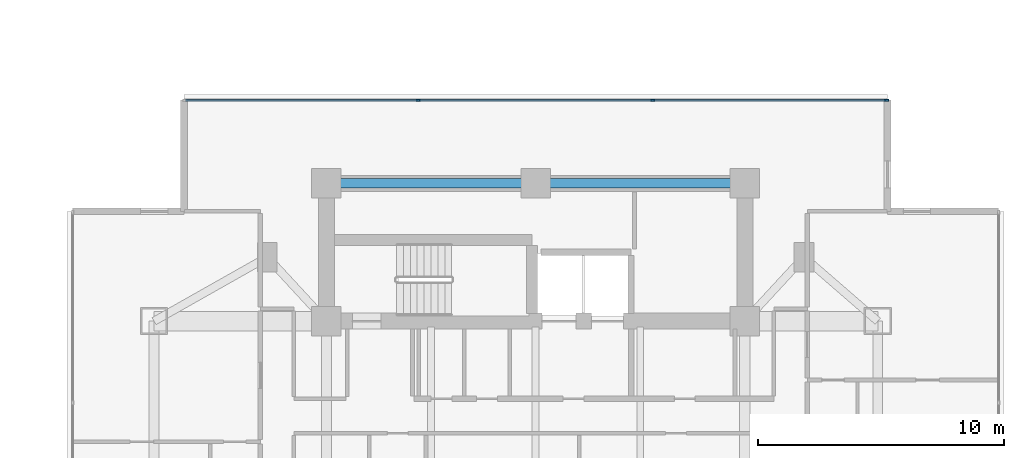
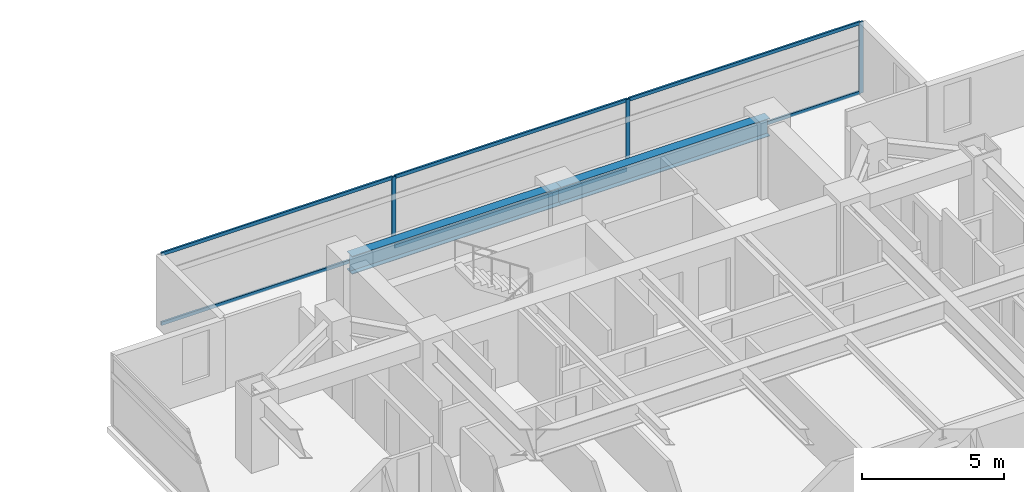
# One storey, part 11 of 25: 9 members, 2 beams, 1 element without a shape of its own.
"""IFC4 building model written with IfcOpenShell, lengths in metres."""

import ifcopenshell
import ifcopenshell.guid

model = None  # the IFC model being written
_history = None  # IfcOwnerHistory: only IFC2X3 demands one
_inside = {}  # id of a spatial element -> (the spatial element, [elements in it])
_under = {}  # id of a project, library or spatial element -> (it, [spatial elements below it])
_declared = {}  # id of a project -> (the project, [libraries it declares])
_typed = {}  # id of a type object -> (the type object, [elements of that type])
_made_of = {}  # id of a material, layer set ... -> (it, [elements and type objects made of it])


def new_model(schema):
    """Start an empty IFC model of exactly this schema.

    Asked for "IFC4X3", IfcOpenShell would pick the latest addendum, in which some entities
    have other attributes; the version numbers below select the first issue.
    IFC2X3 requires an IfcOwnerHistory on every rooted entity: one is made here for all.
    """
    global model, _history
    if schema == "IFC4X3":
        model = ifcopenshell.file(schema_version=(4, 3, 0, 0))
    else:
        model = ifcopenshell.file(schema=schema)
    _inside.clear()
    _under.clear()
    _declared.clear()
    _typed.clear()
    _made_of.clear()
    _history = None
    if model.schema == "IFC2X3":
        org = make("IfcOrganization", Name="unknown")
        user = make(
            "IfcPersonAndOrganization",
            ThePerson=make("IfcPerson", FamilyName="unknown"),
            TheOrganization=org,
        )
        app = make(
            "IfcApplication",
            ApplicationDeveloper=org,
            Version="unknown",
            ApplicationFullName="unknown",
            ApplicationIdentifier="unknown",
        )
        _history = make(
            "IfcOwnerHistory",
            OwningUser=user,
            OwningApplication=app,
            ChangeAction="ADDED",
            CreationDate=0,
        )
    return model


def make(cls, **values):
    """One entity of the class cls with the attributes given. An attribute that is None is left unset."""
    return model.create_entity(
        cls, **{name: value for name, value in values.items() if value is not None}
    )


def rooted(cls, **values):
    """An entity with a GlobalId (a new one), such as an element, a storey or a relation."""
    return make(cls, GlobalId=ifcopenshell.guid.new(), OwnerHistory=_history, **values)


def si_unit(unit_type, name, prefix=None):
    """IfcSIUnit, for example si_unit("LENGTHUNIT", "METRE", prefix="MILLI")."""
    return make("IfcSIUnit", UnitType=unit_type, Prefix=prefix, Name=name)


def assignment(units):
    """IfcUnitAssignment: the units of a project."""
    return None if units is None else make("IfcUnitAssignment", Units=units)


def point(xyz):
    """IfcCartesianPoint."""
    return None if xyz is None else make("IfcCartesianPoint", Coordinates=xyz)


def direction(xyz):
    """IfcDirection."""
    return None if xyz is None else make("IfcDirection", DirectionRatios=xyz)


def frame(location, z_axis=None, x_axis=None):
    """IfcAxis2Placement3D, a coordinate frame: its origin and axes. An axis left out is left unset."""
    return make(
        "IfcAxis2Placement3D",
        Location=point(location),
        Axis=direction(z_axis),
        RefDirection=direction(x_axis),
    )


def frame_2d(location, x_axis=None):
    """IfcAxis2Placement2D, a coordinate frame in the plane: its origin and x axis."""
    return make(
        "IfcAxis2Placement2D", Location=point(location), RefDirection=direction(x_axis)
    )


def origin():
    """The frame at (0, 0, 0) with its axes left unset."""
    return frame((0.0, 0.0, 0.0))


def origin_2d():
    """The frame at (0, 0) in the plane with its x axis left unset."""
    return frame_2d((0.0, 0.0))


def place(relative_to, where):
    """IfcLocalPlacement: puts the frame where relative to a parent placement (None: the world)."""
    return make(
        "IfcLocalPlacement", PlacementRelTo=relative_to, RelativePlacement=where
    )


def context(
    kind, dimensions, precision=None, world=None, true_north=None, identifier=None
):
    """IfcGeometricRepresentationContext, for example the 3D "Model" context."""
    return make(
        "IfcGeometricRepresentationContext",
        ContextIdentifier=identifier,
        ContextType=kind,
        CoordinateSpaceDimension=dimensions,
        Precision=precision,
        WorldCoordinateSystem=world,
        TrueNorth=true_north,
    )


def subcontext(parent, identifier, kind, view, scale=None):
    """IfcGeometricRepresentationSubContext, for example "Body" below "Model"."""
    return make(
        "IfcGeometricRepresentationSubContext",
        ContextIdentifier=identifier,
        ContextType=kind,
        ParentContext=parent,
        TargetScale=scale,
        TargetView=view,
    )


def project(units=None, contexts=None):
    """IfcProject with its units and contexts."""
    return rooted(
        "IfcProject",
        Name="project",
        RepresentationContexts=contexts,
        UnitsInContext=assignment(units),
    )


def spatial(cls, under=None, at=None, **own):
    """A site, building, storey or space (cls), placed at a placement, below another one or the project."""
    s = rooted(cls, ObjectPlacement=at, **own)
    if under is not None:
        _under.setdefault(under.id(), (under, []))[1].append(s)
    return s


def profile(cls, at=None, kind="AREA", **sizes):
    """A parametric profile (cls). Its sizes go by their IFC names, for example OverallWidth=200.0."""
    return make(cls, ProfileType=kind, Position=at, **sizes)


def rectangle(**sizes):
    """IfcRectangleProfileDef."""
    return profile("IfcRectangleProfileDef", **sizes)


def i_section(**sizes):
    """IfcIShapeProfileDef."""
    return profile("IfcIShapeProfileDef", **sizes)


def extrude(swept, where, along, depth):
    """IfcExtrudedAreaSolid: the profile swept, set in the frame where, extruded along a direction by depth."""
    return make(
        "IfcExtrudedAreaSolid",
        SweptArea=swept,
        Position=where,
        ExtrudedDirection=direction(along),
        Depth=depth,
    )


def shape(context_of_items, identifier, shape_type, items):
    """IfcShapeRepresentation: the items that make up one representation, for example the "Body"."""
    return make(
        "IfcShapeRepresentation",
        ContextOfItems=context_of_items,
        RepresentationIdentifier=identifier,
        RepresentationType=shape_type,
        Items=items,
    )


def material(Name=None, Category=None):
    """IfcMaterial."""
    return make("IfcMaterial", Name=Name, Category=Category)


def material_profile(
    of_material, cross_section, Name=None, Category=None, Priority=None
):
    """IfcMaterialProfile: a cross section and its material."""
    return make(
        "IfcMaterialProfile",
        Name=Name,
        Material=of_material,
        Profile=cross_section,
        Priority=Priority,
        Category=Category,
    )


def profile_set(profiles, Name=None, composite=None):
    """IfcMaterialProfileSet."""
    return make(
        "IfcMaterialProfileSet",
        Name=Name,
        MaterialProfiles=profiles,
        CompositeProfile=composite,
    )


def made_of(thing, what):
    """Note that an element or type object is made of a material, layer set ...; save() writes the relation."""
    if what is not None:
        _made_of.setdefault(what.id(), (what, []))[1].append(thing)
    return thing


def type_object(cls, material=None, **own):
    """A type object (cls), such as IfcWallType, which elements share."""
    return made_of(rooted(cls, **own), material)


def element(
    cls,
    number,
    at=None,
    inside=None,
    cuts=None,
    type_object=None,
    material=None,
    context=None,
    identifier="Body",
    shape_type=None,
    held_by="IfcProductDefinitionShape",
    body=None,
    shapes=None,
    **own,
):
    """One element of the class cls, such as IfcWall. Its Tag is "e" and its number.

    at: its placement. inside: the storey or other place that contains it. cuts: it is an
    opening in that element (IfcRelVoidsElement). A single representation is given by context,
    identifier, shape_type and body (its items); several are given by shapes. held_by: the class
    of the entity that holds the representations. save() writes the other relations.
    """
    e = rooted(cls, Tag="e%d" % number, ObjectPlacement=at, **own)
    if body is not None:
        shapes = [shape(context, identifier, shape_type, body)]
    if shapes is not None:
        e.Representation = make(held_by, Representations=shapes)
    if inside is not None:
        _inside.setdefault(inside.id(), (inside, []))[1].append(e)
    if cuts is not None:
        rooted(
            "IfcRelVoidsElement", RelatingBuildingElement=cuts, RelatedOpeningElement=e
        )
    if type_object is not None:
        _typed.setdefault(type_object.id(), (type_object, []))[1].append(e)
    return made_of(e, material)


def aggregate(whole, parts):
    """IfcRelAggregates: a whole, such as a stair, and the parts it consists of."""
    return rooted("IfcRelAggregates", RelatingObject=whole, RelatedObjects=parts)


def save(model, path):
    """Write the relations noted so far, then the file.

    IfcRelAggregates (storeys below a building ...), IfcRelContainedInSpatialStructure (elements
    in a storey), IfcRelDefinesByType, IfcRelAssociatesMaterial and IfcRelDeclares: one each for
    every whole, place, type object, material and project.
    """
    for whole, parts in _under.values():
        aggregate(whole, parts)
    for where, things in _inside.values():
        rooted(
            "IfcRelContainedInSpatialStructure",
            RelatedElements=things,
            RelatingStructure=where,
        )
    for kind, things in _typed.values():
        rooted("IfcRelDefinesByType", RelatedObjects=things, RelatingType=kind)
    for what, things in _made_of.values():
        rooted("IfcRelAssociatesMaterial", RelatedObjects=things, RelatingMaterial=what)
    for by, libraries in _declared.values():
        rooted("IfcRelDeclares", RelatingContext=by, RelatedDefinitions=libraries)
    model.write(path)


model = new_model("IFC4")

# Units and contexts
model_context = context("Model", 3, precision=1e-05, world=origin(), true_north=direction((0.0, 1.0)))
body_context = subcontext(model_context, "Body", "Model", "MODEL_VIEW")
ifc_project = project(units=[si_unit("LENGTHUNIT", "METRE"), si_unit("AREAUNIT", "SQUARE_METRE"), si_unit("VOLUMEUNIT", "CUBIC_METRE"), si_unit("PLANEANGLEUNIT", "RADIAN"), si_unit("MASSUNIT", "GRAM", prefix="KILO")], contexts=[model_context])

# Site, building, storey
site_placement = place(None, origin())
site = spatial("IfcSite", under=ifc_project, at=site_placement, CompositionType="ELEMENT")
building_placement = place(site_placement, origin())
building = spatial("IfcBuilding", under=site, at=building_placement, Name="Mirazonda Arch Towers", CompositionType="ELEMENT")
storey_placement = place(building_placement, frame((0.0, 0.0, 111.5)))
storey = spatial("IfcBuildingStorey", under=building, at=storey_placement, Name="L31", CompositionType="ELEMENT", Elevation=111.5)

# Beams
ifc_material_1 = material(Name="Steel ASTM A992 Grade 50", Category="steel")
ifc_material_profile_1 = material_profile(ifc_material_1, i_section(OverallWidth=0.381103515625, OverallDepth=0.77294921875, WebThickness=0.0166015625, FlangeThickness=0.027099609375, at=origin_2d()), Name="W30X173")
ifc_profile_set_1 = profile_set([ifc_material_profile_1], Name="Steel ASTM A992 Grade 50")
beam_type = type_object("IfcBeamType", Name="BM-INT-W30X173", PredefinedType="USERDEFINED", material=ifc_profile_set_1)
for number, where, z_axis, x_axis, name in (
    (1, (68.0, 40.800048828125, 2.693603515625), (1.0, 0.0, 0.0), (0.0, 1.0, 0.0), "L31 Floor Beam BM-T2-L31-CN1"),
    (2, (76.5, 40.800048828125, 2.693603515625), (1.0, 0.0, 0.0), (0.0, 1.0, 0.0), "L31 Floor Beam BM-T2-L31-CN2"),
):
    element("IfcBeam", number, at=place(storey_placement, frame(where, z_axis=z_axis, x_axis=x_axis)), inside=storey, type_object=beam_type, Name=name, ObjectType="GIRDER", PredefinedType="USERDEFINED", context=body_context, shape_type="SweptSolid", body=[
        extrude(i_section(OverallWidth=0.381103515625, OverallDepth=0.77294921875, WebThickness=0.0166015625, FlangeThickness=0.027099609375, at=origin_2d()), origin(), (0.0, 0.0, 1.0), 8.5),
    ])

# Curtain wall, members
ifc_material_2 = material(Name="Anodised Aluminium and Low-E Glass", Category="aluminium")
curtain_wall_type = type_object("IfcCurtainWallType", Name="CW-HTL-UNIT", PredefinedType="NOTDEFINED", material=ifc_material_2)
curtain_wall_placement = place(storey_placement, origin())
curtain_wall = element("IfcCurtainWall", 3, at=curtain_wall_placement, inside=storey, type_object=curtain_wall_type, Name="L31 T2 N Facade CW-L31-T2-N", PredefinedType="NOTDEFINED")
ifc_material_3 = material(Name="Anodised Aluminium Alloy", Category="aluminium")
ifc_material_profile_2 = material_profile(ifc_material_3, rectangle(XDim=0.074951171875, YDim=0.1650390625, at=origin_2d()), Name="ALU-MULL-75x165")
ifc_profile_set_2 = profile_set([ifc_material_profile_2], Name="Anodised Aluminium Alloy")
member_type_1 = type_object("IfcMemberType", Name="MULL-CW-HTL-UNIT", PredefinedType="MULLION", material=ifc_profile_set_2)
member_1_placement = place(storey_placement, frame((71.73583984375, 44.1806640625, 0.0), z_axis=(0.0, 0.0, 1.0), x_axis=(0.0, 1.0, 0.0)))
member_1 = element("IfcMember", 4, at=member_1_placement, type_object=member_type_1, Name="CW-112 mullion 2", PredefinedType="MULLION", context=body_context, shape_type="SweptSolid", body=[
    extrude(rectangle(XDim=0.074951171875, YDim=0.1650390625, at=origin_2d()), origin(), (0.0, 0.0, 1.0), 3.06005859375),
])
member_2_placement = place(storey_placement, frame((81.26416015625, 44.1806640625, 0.0), z_axis=(0.0, 0.0, 1.0), x_axis=(0.0, 1.0, 0.0)))
member_2 = element("IfcMember", 5, at=member_2_placement, type_object=member_type_1, Name="CW-112 mullion 3", PredefinedType="MULLION", context=body_context, shape_type="SweptSolid", body=[
    extrude(rectangle(XDim=0.074951171875, YDim=0.1650390625, at=origin_2d()), origin(), (0.0, 0.0, 1.0), 3.06005859375),
])
member_3_placement = place(storey_placement, frame((90.754638671875, 44.1806640625, 0.0), z_axis=(0.0, 0.0, 1.0), x_axis=(0.0, 1.0, 0.0)))
member_3 = element("IfcMember", 6, at=member_3_placement, type_object=member_type_1, Name="CW-112 mullion 4", PredefinedType="MULLION", context=body_context, shape_type="SweptSolid", body=[
    extrude(rectangle(XDim=0.074951171875, YDim=0.1650390625, at=origin_2d()), origin(), (0.0, 0.0, 1.0), 3.06005859375),
])
ifc_material_profile_3 = material_profile(ifc_material_3, rectangle(XDim=0.074951171875, YDim=0.14501953125, at=origin_2d()), Name="ALU-TRAN-75x145")
ifc_profile_set_3 = profile_set([ifc_material_profile_3], Name="Anodised Aluminium Alloy")
member_type_2 = type_object("IfcMemberType", Name="TRAN-CW-HTL-UNIT", PredefinedType="USERDEFINED", material=ifc_profile_set_3)
member_4_placement = place(storey_placement, frame((62.28271484375, 44.1806640625, 0.03759765625), z_axis=(1.0, 0.0, 0.0), x_axis=(0.0, 1.0, 0.0)))
member_4 = element("IfcMember", 7, at=member_4_placement, type_object=member_type_2, Name="CW-112 transom 1.1", ObjectType="TRANSOM", PredefinedType="USERDEFINED", context=body_context, shape_type="SweptSolid", body=[
    extrude(rectangle(XDim=0.074951171875, YDim=0.14501953125, at=origin_2d()), origin(), (0.0, 0.0, 1.0), 9.415771484375),
])
member_5_placement = place(storey_placement, frame((62.28271484375, 44.1806640625, 3.0224609375), z_axis=(1.0, 0.0, 0.0), x_axis=(0.0, 1.0, 0.0)))
member_5 = element("IfcMember", 8, at=member_5_placement, type_object=member_type_2, Name="CW-112 transom 1.2", ObjectType="TRANSOM", PredefinedType="USERDEFINED", context=body_context, shape_type="SweptSolid", body=[
    extrude(rectangle(XDim=0.074951171875, YDim=0.14501953125, at=origin_2d()), origin(), (0.0, 0.0, 1.0), 9.415771484375),
])
member_6_placement = place(storey_placement, frame((71.7734375, 44.1806640625, 0.03759765625), z_axis=(1.0, 0.0, 0.0), x_axis=(0.0, 1.0, 0.0)))
member_6 = element("IfcMember", 9, at=member_6_placement, type_object=member_type_2, Name="CW-112 transom 2.1", ObjectType="TRANSOM", PredefinedType="USERDEFINED", context=body_context, shape_type="SweptSolid", body=[
    extrude(rectangle(XDim=0.074951171875, YDim=0.14501953125, at=origin_2d()), origin(), (0.0, 0.0, 1.0), 9.453125),
])
member_7_placement = place(storey_placement, frame((71.7734375, 44.1806640625, 3.0224609375), z_axis=(1.0, 0.0, 0.0), x_axis=(0.0, 1.0, 0.0)))
member_7 = element("IfcMember", 10, at=member_7_placement, type_object=member_type_2, Name="CW-112 transom 2.2", ObjectType="TRANSOM", PredefinedType="USERDEFINED", context=body_context, shape_type="SweptSolid", body=[
    extrude(rectangle(XDim=0.074951171875, YDim=0.14501953125, at=origin_2d()), origin(), (0.0, 0.0, 1.0), 9.453125),
])
member_8_placement = place(storey_placement, frame((81.301513671875, 44.1806640625, 0.03759765625), z_axis=(1.0, 0.0, 0.0), x_axis=(0.0, 1.0, 0.0)))
member_8 = element("IfcMember", 11, at=member_8_placement, type_object=member_type_2, Name="CW-112 transom 3.1", ObjectType="TRANSOM", PredefinedType="USERDEFINED", context=body_context, shape_type="SweptSolid", body=[
    extrude(rectangle(XDim=0.074951171875, YDim=0.14501953125, at=origin_2d()), origin(), (0.0, 0.0, 1.0), 9.415771484375),
])
member_9_placement = place(storey_placement, frame((81.301513671875, 44.1806640625, 3.0224609375), z_axis=(1.0, 0.0, 0.0), x_axis=(0.0, 1.0, 0.0)))
member_9 = element("IfcMember", 12, at=member_9_placement, type_object=member_type_2, Name="CW-112 transom 3.2", ObjectType="TRANSOM", PredefinedType="USERDEFINED", context=body_context, shape_type="SweptSolid", body=[
    extrude(rectangle(XDim=0.074951171875, YDim=0.14501953125, at=origin_2d()), origin(), (0.0, 0.0, 1.0), 9.415771484375),
])
aggregate(curtain_wall, [member_1, member_2, member_3, member_4, member_5, member_6, member_7, member_8, member_9])

save(model, "model.ifc")
